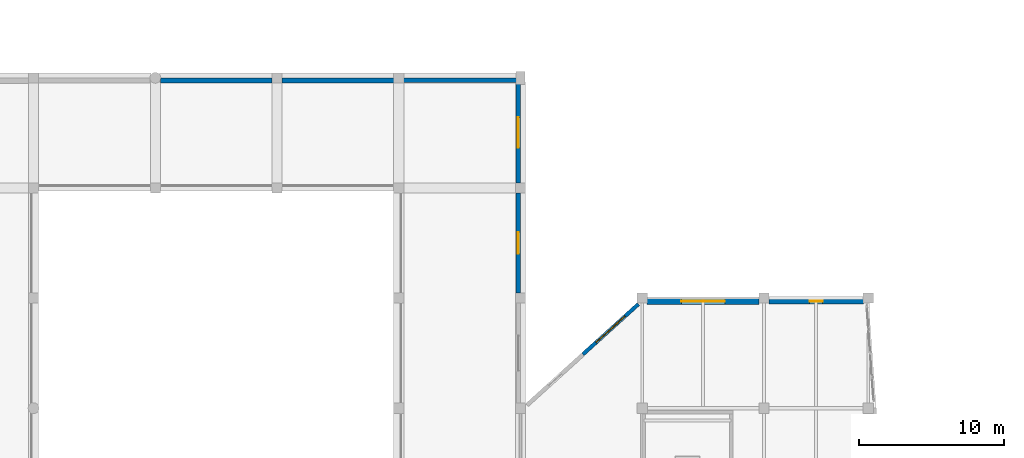
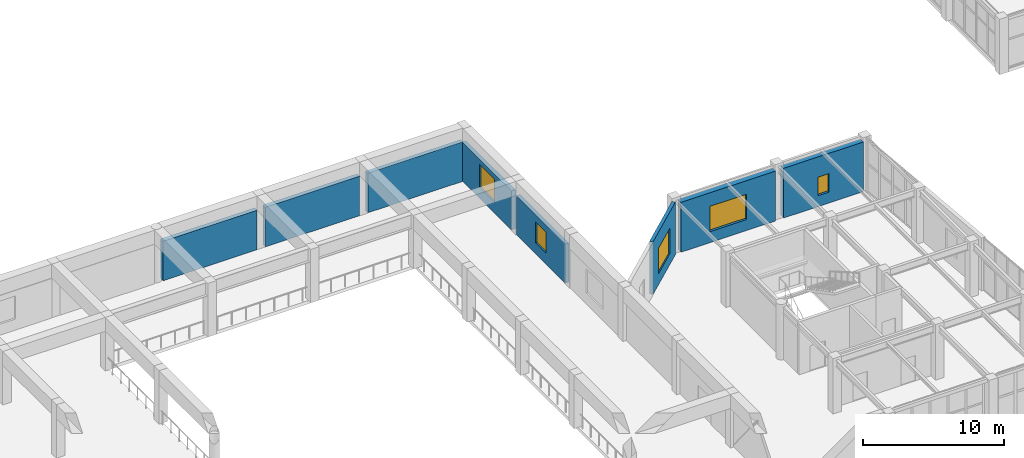
# One storey, part 66 of 72: 8 walls, 5 windows, 5 openings.
"""IFC4 building model written with IfcOpenShell, lengths in metres."""

import ifcopenshell
import ifcopenshell.guid

model = None  # the IFC model being written
_history = None  # IfcOwnerHistory: only IFC2X3 demands one
_inside = {}  # id of a spatial element -> (the spatial element, [elements in it])
_under = {}  # id of a project, library or spatial element -> (it, [spatial elements below it])
_declared = {}  # id of a project -> (the project, [libraries it declares])
_typed = {}  # id of a type object -> (the type object, [elements of that type])
_made_of = {}  # id of a material, layer set ... -> (it, [elements and type objects made of it])


def new_model(schema):
    """Start an empty IFC model of exactly this schema.

    Asked for "IFC4X3", IfcOpenShell would pick the latest addendum, in which some entities
    have other attributes; the version numbers below select the first issue.
    IFC2X3 requires an IfcOwnerHistory on every rooted entity: one is made here for all.
    """
    global model, _history
    if schema == "IFC4X3":
        model = ifcopenshell.file(schema_version=(4, 3, 0, 0))
    else:
        model = ifcopenshell.file(schema=schema)
    _inside.clear()
    _under.clear()
    _declared.clear()
    _typed.clear()
    _made_of.clear()
    _history = None
    if model.schema == "IFC2X3":
        org = make("IfcOrganization", Name="unknown")
        user = make(
            "IfcPersonAndOrganization",
            ThePerson=make("IfcPerson", FamilyName="unknown"),
            TheOrganization=org,
        )
        app = make(
            "IfcApplication",
            ApplicationDeveloper=org,
            Version="unknown",
            ApplicationFullName="unknown",
            ApplicationIdentifier="unknown",
        )
        _history = make(
            "IfcOwnerHistory",
            OwningUser=user,
            OwningApplication=app,
            ChangeAction="ADDED",
            CreationDate=0,
        )
    return model


def make(cls, **values):
    """One entity of the class cls with the attributes given. An attribute that is None is left unset."""
    return model.create_entity(
        cls, **{name: value for name, value in values.items() if value is not None}
    )


def rooted(cls, **values):
    """An entity with a GlobalId (a new one), such as an element, a storey or a relation."""
    return make(cls, GlobalId=ifcopenshell.guid.new(), OwnerHistory=_history, **values)


def si_unit(unit_type, name, prefix=None):
    """IfcSIUnit, for example si_unit("LENGTHUNIT", "METRE", prefix="MILLI")."""
    return make("IfcSIUnit", UnitType=unit_type, Prefix=prefix, Name=name)


def assignment(units):
    """IfcUnitAssignment: the units of a project."""
    return None if units is None else make("IfcUnitAssignment", Units=units)


def point(xyz):
    """IfcCartesianPoint."""
    return None if xyz is None else make("IfcCartesianPoint", Coordinates=xyz)


def direction(xyz):
    """IfcDirection."""
    return None if xyz is None else make("IfcDirection", DirectionRatios=xyz)


def frame(location, z_axis=None, x_axis=None):
    """IfcAxis2Placement3D, a coordinate frame: its origin and axes. An axis left out is left unset."""
    return make(
        "IfcAxis2Placement3D",
        Location=point(location),
        Axis=direction(z_axis),
        RefDirection=direction(x_axis),
    )


def frame_2d(location, x_axis=None):
    """IfcAxis2Placement2D, a coordinate frame in the plane: its origin and x axis."""
    return make(
        "IfcAxis2Placement2D", Location=point(location), RefDirection=direction(x_axis)
    )


def origin():
    """The frame at (0, 0, 0) with its axes left unset."""
    return frame((0.0, 0.0, 0.0))


def place(relative_to, where):
    """IfcLocalPlacement: puts the frame where relative to a parent placement (None: the world)."""
    return make(
        "IfcLocalPlacement", PlacementRelTo=relative_to, RelativePlacement=where
    )


def context(
    kind, dimensions, precision=None, world=None, true_north=None, identifier=None
):
    """IfcGeometricRepresentationContext, for example the 3D "Model" context."""
    return make(
        "IfcGeometricRepresentationContext",
        ContextIdentifier=identifier,
        ContextType=kind,
        CoordinateSpaceDimension=dimensions,
        Precision=precision,
        WorldCoordinateSystem=world,
        TrueNorth=true_north,
    )


def subcontext(parent, identifier, kind, view, scale=None):
    """IfcGeometricRepresentationSubContext, for example "Body" below "Model"."""
    return make(
        "IfcGeometricRepresentationSubContext",
        ContextIdentifier=identifier,
        ContextType=kind,
        ParentContext=parent,
        TargetScale=scale,
        TargetView=view,
    )


def project(units=None, contexts=None):
    """IfcProject with its units and contexts."""
    return rooted(
        "IfcProject",
        Name="project",
        RepresentationContexts=contexts,
        UnitsInContext=assignment(units),
    )


def spatial(cls, under=None, at=None, **own):
    """A site, building, storey or space (cls), placed at a placement, below another one or the project."""
    s = rooted(cls, ObjectPlacement=at, **own)
    if under is not None:
        _under.setdefault(under.id(), (under, []))[1].append(s)
    return s


def profile(cls, at=None, kind="AREA", **sizes):
    """A parametric profile (cls). Its sizes go by their IFC names, for example OverallWidth=200.0."""
    return make(cls, ProfileType=kind, Position=at, **sizes)


def rectangle(**sizes):
    """IfcRectangleProfileDef."""
    return profile("IfcRectangleProfileDef", **sizes)


def extrude(swept, where, along, depth):
    """IfcExtrudedAreaSolid: the profile swept, set in the frame where, extruded along a direction by depth."""
    return make(
        "IfcExtrudedAreaSolid",
        SweptArea=swept,
        Position=where,
        ExtrudedDirection=direction(along),
        Depth=depth,
    )


def shape(context_of_items, identifier, shape_type, items):
    """IfcShapeRepresentation: the items that make up one representation, for example the "Body"."""
    return make(
        "IfcShapeRepresentation",
        ContextOfItems=context_of_items,
        RepresentationIdentifier=identifier,
        RepresentationType=shape_type,
        Items=items,
    )


def material(Name=None, Category=None):
    """IfcMaterial."""
    return make("IfcMaterial", Name=Name, Category=Category)


def layer(
    of_material, thickness, ventilated=None, Name=None, Category=None, Priority=None
):
    """IfcMaterialLayer: one layer of a wall or slab, of a material (None: an air gap)."""
    return make(
        "IfcMaterialLayer",
        Material=of_material,
        LayerThickness=thickness,
        IsVentilated=ventilated,
        Name=Name,
        Category=Category,
        Priority=Priority,
    )


def layer_set(layers, Name=None):
    """IfcMaterialLayerSet."""
    return make("IfcMaterialLayerSet", MaterialLayers=layers, LayerSetName=Name)


def made_of(thing, what):
    """Note that an element or type object is made of a material, layer set ...; save() writes the relation."""
    if what is not None:
        _made_of.setdefault(what.id(), (what, []))[1].append(thing)
    return thing


def type_object(cls, material=None, **own):
    """A type object (cls), such as IfcWallType, which elements share."""
    return made_of(rooted(cls, **own), material)


def element(
    cls,
    number,
    at=None,
    inside=None,
    cuts=None,
    type_object=None,
    material=None,
    context=None,
    identifier="Body",
    shape_type=None,
    held_by="IfcProductDefinitionShape",
    body=None,
    shapes=None,
    **own,
):
    """One element of the class cls, such as IfcWall. Its Tag is "e" and its number.

    at: its placement. inside: the storey or other place that contains it. cuts: it is an
    opening in that element (IfcRelVoidsElement). A single representation is given by context,
    identifier, shape_type and body (its items); several are given by shapes. held_by: the class
    of the entity that holds the representations. save() writes the other relations.
    """
    e = rooted(cls, Tag="e%d" % number, ObjectPlacement=at, **own)
    if body is not None:
        shapes = [shape(context, identifier, shape_type, body)]
    if shapes is not None:
        e.Representation = make(held_by, Representations=shapes)
    if inside is not None:
        _inside.setdefault(inside.id(), (inside, []))[1].append(e)
    if cuts is not None:
        rooted(
            "IfcRelVoidsElement", RelatingBuildingElement=cuts, RelatedOpeningElement=e
        )
    if type_object is not None:
        _typed.setdefault(type_object.id(), (type_object, []))[1].append(e)
    return made_of(e, material)


def fill(opening, filler):
    """IfcRelFillsElement: the door or window that sits in an opening."""
    return rooted(
        "IfcRelFillsElement",
        RelatingOpeningElement=opening,
        RelatedBuildingElement=filler,
    )


def aggregate(whole, parts):
    """IfcRelAggregates: a whole, such as a stair, and the parts it consists of."""
    return rooted("IfcRelAggregates", RelatingObject=whole, RelatedObjects=parts)


def save(model, path):
    """Write the relations noted so far, then the file.

    IfcRelAggregates (storeys below a building ...), IfcRelContainedInSpatialStructure (elements
    in a storey), IfcRelDefinesByType, IfcRelAssociatesMaterial and IfcRelDeclares: one each for
    every whole, place, type object, material and project.
    """
    for whole, parts in _under.values():
        aggregate(whole, parts)
    for where, things in _inside.values():
        rooted(
            "IfcRelContainedInSpatialStructure",
            RelatedElements=things,
            RelatingStructure=where,
        )
    for kind, things in _typed.values():
        rooted("IfcRelDefinesByType", RelatedObjects=things, RelatingType=kind)
    for what, things in _made_of.values():
        rooted("IfcRelAssociatesMaterial", RelatedObjects=things, RelatingMaterial=what)
    for by, libraries in _declared.values():
        rooted("IfcRelDeclares", RelatingContext=by, RelatedDefinitions=libraries)
    model.write(path)


model = new_model("IFC4")

# Units and contexts
model_context = context("Model", 3, precision=1e-05, world=origin(), true_north=direction((0.0, 1.0)))
body_context = subcontext(model_context, "Body", "Model", "MODEL_VIEW")
ifc_project = project(units=[si_unit("LENGTHUNIT", "METRE"), si_unit("AREAUNIT", "SQUARE_METRE"), si_unit("VOLUMEUNIT", "CUBIC_METRE"), si_unit("PLANEANGLEUNIT", "RADIAN"), si_unit("MASSUNIT", "GRAM", prefix="KILO")], contexts=[model_context])

# Site, building, storey
site_placement = place(None, origin())
site = spatial("IfcSite", under=ifc_project, at=site_placement, CompositionType="ELEMENT")
building_placement = place(site_placement, origin())
building = spatial("IfcBuilding", under=site, at=building_placement, Name="Xicomal Pleat Aquarium", CompositionType="ELEMENT")
storey_placement = place(building_placement, frame((0.0, 0.0, 10.5)))
storey = spatial("IfcBuildingStorey", under=building, at=storey_placement, Name="L03", CompositionType="ELEMENT", Elevation=10.5)

# Wall
ifc_material_1 = material(Name="Volcanic basalt recinto masonry and concrete C40/50", Category="masonry")
ifc_layer_1 = layer(ifc_material_1, 0.35009765625)
ifc_layer_set_1 = layer_set([ifc_layer_1], Name="Volcanic basalt recinto masonry and concrete C40/50")
wall_type_1 = type_object("IfcWallType", Name="WAL-EXT-BAS-350", PredefinedType="SOLIDWALL", material=ifc_layer_set_1)
wall_1_placement = place(storey_placement, frame((69.360107421875, 83.425048828125, 0.0), z_axis=(0.0, 0.0, 1.0), x_axis=(1.0, 0.0, 0.0)))
element("IfcWall", 1, at=wall_1_placement, inside=storey, type_object=wall_type_1, Name="L03 exterior basalt-precast wall EW-L03-054", PredefinedType="SOLIDWALL", context=body_context, shape_type="SweptSolid", body=[
    extrude(rectangle(XDim=7.704833984375, YDim=0.35009765625, at=frame_2d((3.8525390625, 0.0))), origin(), (0.0, 0.0, 1.0), 3.425048828125),
])

# Wall, opening, window
ifc_material_2 = material(Name="Volcanic basalt recinto masonry and concrete C40/50", Category="masonry")
ifc_layer_2 = layer(ifc_material_2, 0.419921875)
ifc_layer_set_2 = layer_set([ifc_layer_2], Name="Volcanic basalt recinto masonry and concrete C40/50")
wall_type_2 = type_object("IfcWallType", Name="WAL-EXT-BAS-420", PredefinedType="SOLIDWALL", material=ifc_layer_set_2)
wall_2_placement = place(storey_placement, frame((111.3349609375, 68.18994140625, 0.0), z_axis=(0.0, 0.0, 1.0), x_axis=(1.0, 0.0, 0.0)))
wall_2 = element("IfcWall", 2, at=wall_2_placement, inside=storey, type_object=wall_type_2, Name="L03 exterior basalt-precast wall EW-L03-063", PredefinedType="SOLIDWALL", context=body_context, shape_type="SweptSolid", body=[
    extrude(rectangle(XDim=6.530029296875, YDim=0.419921875, at=frame_2d((3.26513671875, 0.0))), origin(), (0.0, 0.0, 1.0), 4.304931640625),
])
opening_1_placement = place(wall_2_placement, frame((2.81494140625, 0.0, 0.949951171875)))
opening_1 = element("IfcOpeningElement", 3, at=opening_1_placement, cuts=wall_2, Name="Opening WN-06", PredefinedType="OPENING", context=body_context, shape_type="SweptSolid", body=[
    extrude(rectangle(XDim=0.89990234375, YDim=1.60009765625, at=frame_2d((0.449951171875, 0.800048828125))), frame((0.0, 0.219970703125, 0.0), z_axis=(0.0, -1.0, 0.0), x_axis=(1.0, 0.0, 0.0)), (0.0, 0.0, 1.0), 0.43994140625),
])
ifc_material_3 = material(Name="Insulated low-E laminated glass", Category="glass")
window_type_1 = type_object("IfcWindowType", Name="WIN-EXT-0900x1600", PartitioningType="SINGLE_PANEL", PredefinedType="WINDOW", material=ifc_material_3)
window_1_placement = place(opening_1_placement, origin())
window_1 = element("IfcWindow", 4, at=window_1_placement, inside=storey, type_object=window_type_1, Name="L03 thermally broken low-E window 32", OverallHeight=1.60009765625, OverallWidth=0.89990234375, PartitioningType="SINGLE_PANEL", PredefinedType="WINDOW", context=body_context, shape_type="SweptSolid", body=[
    extrude(rectangle(XDim=0.89990234375, YDim=1.60009765625, at=frame_2d((0.449951171875, 0.800048828125))), frame((0.0, 0.030029296875, 0.0), z_axis=(0.0, -1.0, 0.0), x_axis=(1.0, 0.0, 0.0)), (0.0, 0.0, 1.0), 0.06005859375),
])
fill(opening_1, window_1)

ifc_material_4 = material(Name="Volcanic basalt recinto masonry and concrete C40/50", Category="masonry")
ifc_layer_3 = layer(ifc_material_4, 0.445068359375)
ifc_layer_set_3 = layer_set([ifc_layer_3], Name="Volcanic basalt recinto masonry and concrete C40/50")
wall_type_3 = type_object("IfcWallType", Name="WAL-EXT-BAS-445", PredefinedType="SOLIDWALL", material=ifc_layer_set_3)
wall_3_placement = place(storey_placement, frame((102.93505859375, 68.177978515625, 0.0), z_axis=(0.0, 0.0, 1.0), x_axis=(1.0, 0.0, 0.0)))
wall_3 = element("IfcWall", 5, at=wall_3_placement, inside=storey, type_object=wall_type_3, Name="L03 exterior basalt-precast wall EW-L03-062", PredefinedType="SOLIDWALL", context=body_context, shape_type="SweptSolid", body=[
    extrude(rectangle(XDim=7.72998046875, YDim=0.445068359375, at=frame_2d((3.864990234375, 0.0))), origin(), (0.0, 0.0, 1.0), 4.320068359375),
])
opening_2_placement = place(wall_3_placement, frame((2.364990234375, 0.0, 0.949951171875)))
opening_2 = element("IfcOpeningElement", 6, at=opening_2_placement, cuts=wall_3, Name="Opening WN-08", PredefinedType="OPENING", context=body_context, shape_type="SweptSolid", body=[
    extrude(rectangle(XDim=3.0, YDim=2.199951171875, at=frame_2d((1.5, 1.10009765625))), frame((0.0, 0.232421875, 0.0), z_axis=(0.0, -1.0, 0.0), x_axis=(1.0, 0.0, 0.0)), (0.0, 0.0, 1.0), 0.465087890625),
])
ifc_material_5 = material(Name="Insulated low-E laminated glass", Category="glass")
window_type_2 = type_object("IfcWindowType", Name="WIN-EXT-3000x2200", PartitioningType="DOUBLE_PANEL_VERTICAL", PredefinedType="WINDOW", material=ifc_material_5)
window_2_placement = place(opening_2_placement, origin())
window_2 = element("IfcWindow", 7, at=window_2_placement, inside=storey, type_object=window_type_2, Name="L03 thermally broken low-E window 31", OverallHeight=2.199951171875, OverallWidth=3.0, PartitioningType="SINGLE_PANEL", PredefinedType="WINDOW", context=body_context, shape_type="SweptSolid", body=[
    extrude(rectangle(XDim=3.0, YDim=2.199951171875, at=frame_2d((1.5, 1.10009765625))), frame((0.0, 0.030029296875, 0.0), z_axis=(0.0, -1.0, 0.0), x_axis=(1.0, 0.0, 0.0)), (0.0, 0.0, 1.0), 0.06005859375),
])
fill(opening_2, window_2)

ifc_material_6 = material(Name="Precast concrete C40/50", Category="concrete")
ifc_layer_4 = layer(ifc_material_6, 0.260009765625)
ifc_layer_set_4 = layer_set([ifc_layer_4], Name="Precast concrete C40/50")
wall_type_4 = type_object("IfcWallType", Name="WAL-EXT-PRC-260", PredefinedType="SOLIDWALL", material=ifc_layer_set_4)
wall_4_placement = place(storey_placement, frame((98.501953125, 64.51708984375, 0.0), z_axis=(0.0, 0.0, 1.0), x_axis=(0.741580572517, 0.67086381216, 0.0)))
wall_4 = element("IfcWall", 8, at=wall_4_placement, inside=storey, type_object=wall_type_4, Name="L03 exterior basalt-precast wall EW-L03-061", PredefinedType="SOLIDWALL", context=body_context, shape_type="SweptSolid", body=[
    extrude(rectangle(XDim=5.164794921875, YDim=0.260009765625, at=frame_2d((2.58251953125, 0.0))), origin(), (0.0, 0.0, 1.0), 4.56005859375),
])
opening_3_placement = place(wall_4_placement, frame((1.23193359375, 0.0, 0.949951171875)))
opening_3 = element("IfcOpeningElement", 9, at=opening_3_placement, cuts=wall_4, Name="Opening WN-07", PredefinedType="OPENING", context=body_context, shape_type="SweptSolid", body=[
    extrude(rectangle(XDim=2.699951171875, YDim=2.199951171875, at=frame_2d((1.35009765625, 1.10009765625))), frame((0.0, 0.139892578125, 0.0), z_axis=(0.0, -1.0, 0.0), x_axis=(1.0, 0.0, 0.0)), (0.0, 0.0, 1.0), 0.280029296875),
])
ifc_material_7 = material(Name="Insulated low-E laminated glass", Category="glass")
window_type_3 = type_object("IfcWindowType", Name="WIN-EXT-2700x2200", PartitioningType="DOUBLE_PANEL_VERTICAL", PredefinedType="WINDOW", material=ifc_material_7)
window_3_placement = place(opening_3_placement, origin())
window_3 = element("IfcWindow", 10, at=window_3_placement, inside=storey, type_object=window_type_3, Name="L03 thermally broken low-E window 30", OverallHeight=2.199951171875, OverallWidth=2.699951171875, PartitioningType="SINGLE_PANEL", PredefinedType="WINDOW", context=body_context, shape_type="SweptSolid", body=[
    extrude(rectangle(XDim=2.699951171875, YDim=2.199951171875, at=frame_2d((1.35009765625, 1.10009765625))), frame((0.0, 0.030029296875, 0.0), z_axis=(0.0, -1.0, 0.0), x_axis=(1.0, 0.0, 0.0)), (0.0, 0.0, 1.0), 0.06005859375),
])
fill(opening_3, window_3)

ifc_material_8 = material(Name="Precast concrete C40/50", Category="concrete")
ifc_layer_5 = layer(ifc_material_8, 0.300048828125)
ifc_layer_set_5 = layer_set([ifc_layer_5], Name="Precast concrete C40/50")
wall_type_5 = type_object("IfcWallType", Name="WAL-EXT-PRC-300", PredefinedType="SOLIDWALL", material=ifc_layer_set_5)
wall_5_placement = place(storey_placement, frame((94.050048828125, 75.6650390625, 0.0), z_axis=(0.0, 0.0, 1.0), x_axis=(0.0, -1.0, 0.0)))
wall_5 = element("IfcWall", 11, at=wall_5_placement, inside=storey, type_object=wall_type_5, Name="L03 exterior basalt-precast wall EW-L03-058", PredefinedType="SOLIDWALL", context=body_context, shape_type="SweptSolid", body=[
    extrude(rectangle(XDim=6.929931640625, YDim=0.300048828125, at=frame_2d((3.46484375, 0.0))), origin(), (0.0, 0.0, 1.0), 3.389892578125),
])
opening_4_placement = place(wall_5_placement, frame((2.715087890625, 0.0, 0.949951171875)))
opening_4 = element("IfcOpeningElement", 12, at=opening_4_placement, cuts=wall_5, Name="Opening WN-02", PredefinedType="OPENING", context=body_context, shape_type="SweptSolid", body=[
    extrude(rectangle(XDim=1.5, YDim=1.800048828125, at=frame_2d((0.75, 0.89990234375))), frame((0.0, 0.159912109375, 0.0), z_axis=(0.0, -1.0, 0.0), x_axis=(1.0, 0.0, 0.0)), (0.0, 0.0, 1.0), 0.320068359375),
])
ifc_material_9 = material(Name="Insulated low-E laminated glass", Category="glass")
window_type_4 = type_object("IfcWindowType", Name="WIN-EXT-1500x1800", PartitioningType="SINGLE_PANEL", PredefinedType="WINDOW", material=ifc_material_9)
window_4_placement = place(opening_4_placement, origin())
window_4 = element("IfcWindow", 13, at=window_4_placement, inside=storey, type_object=window_type_4, Name="L03 thermally broken low-E window 27", OverallHeight=1.800048828125, OverallWidth=1.5, PartitioningType="SINGLE_PANEL", PredefinedType="WINDOW", context=body_context, shape_type="SweptSolid", body=[
    extrude(rectangle(XDim=1.5, YDim=1.800048828125, at=frame_2d((0.75, 0.89990234375))), frame((0.0, 0.030029296875, 0.0), z_axis=(0.0, -1.0, 0.0), x_axis=(1.0, 0.0, 0.0)), (0.0, 0.0, 1.0), 0.06005859375),
])
fill(opening_4, window_4)

ifc_material_10 = material(Name="Precast concrete C40/50", Category="concrete")
ifc_layer_6 = layer(ifc_material_10, 0.31201171875)
ifc_layer_set_6 = layer_set([ifc_layer_6], Name="Precast concrete C40/50")
wall_type_6 = type_object("IfcWallType", Name="WAL-EXT-PRC-312", PredefinedType="SOLIDWALL", material=ifc_layer_set_6)
wall_6_placement = place(storey_placement, frame((94.0439453125, 83.31494140625, 0.0), z_axis=(0.0, 0.0, 1.0), x_axis=(0.0, -1.0, 0.0)))
wall_6 = element("IfcWall", 14, at=wall_6_placement, inside=storey, type_object=wall_type_6, Name="L03 exterior basalt-precast wall EW-L03-057", PredefinedType="SOLIDWALL", context=body_context, shape_type="SweptSolid", body=[
    extrude(rectangle(XDim=6.97998046875, YDim=0.31201171875, at=frame_2d((3.489990234375, 0.0))), origin(), (0.0, 0.0, 1.0), 3.389892578125),
])
opening_5_placement = place(wall_6_placement, frame((2.43994140625, 0.0, 0.949951171875)))
opening_5 = element("IfcOpeningElement", 15, at=opening_5_placement, cuts=wall_6, Name="Opening WN-04", PredefinedType="OPENING", context=body_context, shape_type="SweptSolid", body=[
    extrude(rectangle(XDim=2.10009765625, YDim=2.0, at=frame_2d((1.050048828125, 1.0))), frame((0.0, 0.166015625, 0.0), z_axis=(0.0, -1.0, 0.0), x_axis=(1.0, 0.0, 0.0)), (0.0, 0.0, 1.0), 0.33203125),
])
ifc_material_11 = material(Name="Insulated low-E laminated glass", Category="glass")
window_type_5 = type_object("IfcWindowType", Name="WIN-EXT-2100x2000", PartitioningType="DOUBLE_PANEL_VERTICAL", PredefinedType="WINDOW", material=ifc_material_11)
window_5_placement = place(opening_5_placement, origin())
window_5 = element("IfcWindow", 16, at=window_5_placement, inside=storey, type_object=window_type_5, Name="L03 thermally broken low-E window 26", OverallHeight=2.0, OverallWidth=2.10009765625, PartitioningType="SINGLE_PANEL", PredefinedType="WINDOW", context=body_context, shape_type="SweptSolid", body=[
    extrude(rectangle(XDim=2.10009765625, YDim=2.0, at=frame_2d((1.050048828125, 1.0))), frame((0.0, 0.030029296875, 0.0), z_axis=(0.0, -1.0, 0.0), x_axis=(1.0, 0.0, 0.0)), (0.0, 0.0, 1.0), 0.06005859375),
])
fill(opening_5, window_5)

# Walls
ifc_material_12 = material(Name="Precast concrete C40/50", Category="concrete")
ifc_layer_7 = layer(ifc_material_12, 0.324951171875)
ifc_layer_set_7 = layer_set([ifc_layer_7], Name="Precast concrete C40/50")
wall_type_7 = type_object("IfcWallType", Name="WAL-EXT-PRC-325", PredefinedType="SOLIDWALL", material=ifc_layer_set_7)
wall_7_placement = place(storey_placement, frame((86.135009765625, 83.43798828125, 0.0), z_axis=(0.0, 0.0, 1.0), x_axis=(1.0, 0.0, 0.0)))
element("IfcWall", 17, at=wall_7_placement, inside=storey, type_object=wall_type_7, Name="L03 exterior basalt-precast wall EW-L03-056", PredefinedType="SOLIDWALL", context=body_context, shape_type="SweptSolid", body=[
    extrude(rectangle(XDim=7.780029296875, YDim=0.324951171875, at=frame_2d((3.89013671875, 0.0))), origin(), (0.0, 0.0, 1.0), 3.425048828125),
])
ifc_material_13 = material(Name="Precast concrete C40/50", Category="concrete")
ifc_layer_8 = layer(ifc_material_13, 0.340087890625)
ifc_layer_set_8 = layer_set([ifc_layer_8], Name="Precast concrete C40/50")
wall_type_8 = type_object("IfcWallType", Name="WAL-EXT-PRC-340", PredefinedType="SOLIDWALL", material=ifc_layer_set_8)
wall_8_placement = place(storey_placement, frame((77.735107421875, 83.429931640625, 0.0), z_axis=(0.0, 0.0, 1.0), x_axis=(1.0, 0.0, 0.0)))
element("IfcWall", 18, at=wall_8_placement, inside=storey, type_object=wall_type_8, Name="L03 exterior basalt-precast wall EW-L03-055", PredefinedType="SOLIDWALL", context=body_context, shape_type="SweptSolid", body=[
    extrude(rectangle(XDim=7.72998046875, YDim=0.340087890625, at=frame_2d((3.864990234375, 0.0))), origin(), (0.0, 0.0, 1.0), 3.425048828125),
])

save(model, "model.ifc")
